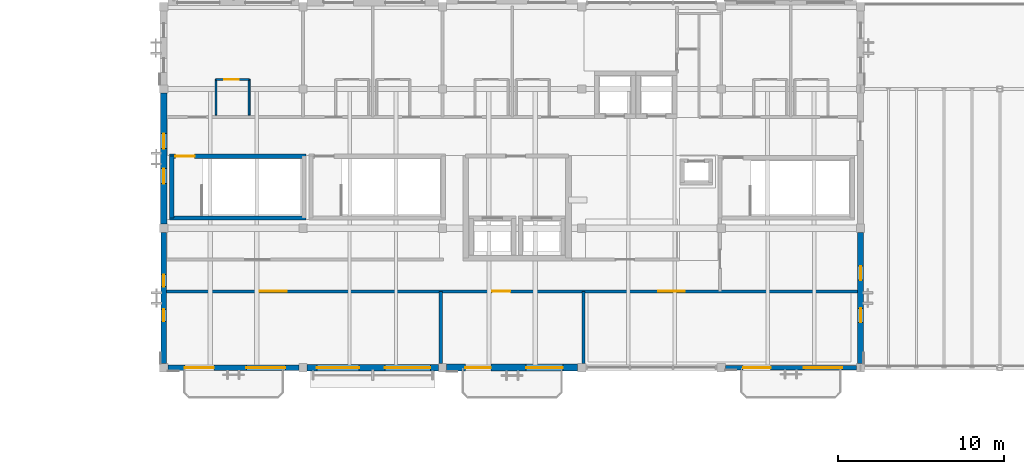
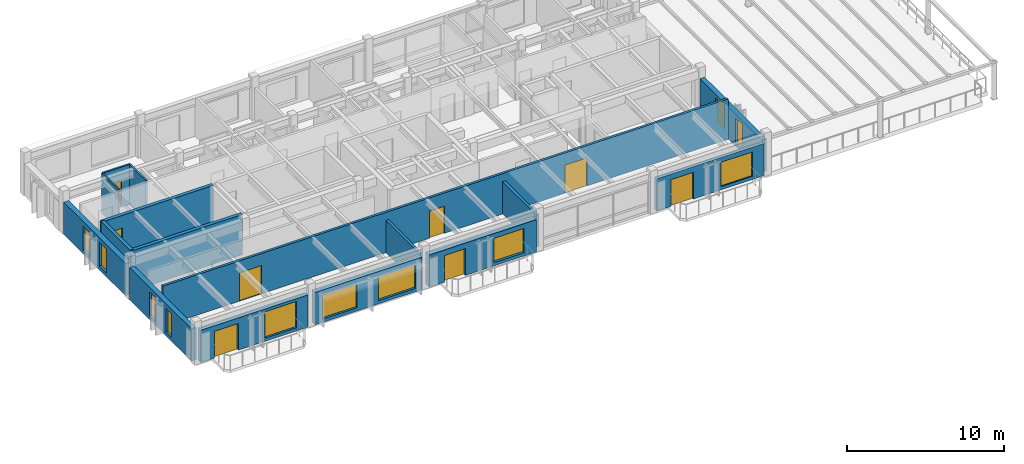
# One storey, part 13 of 24: 16 walls, 11 windows, 8 doors, 19 openings.
"""IFC4 building model written with IfcOpenShell, lengths in metres."""

from ifc_helpers import new_model, si_unit, direction, frame, frame_2d, origin, place, context, subcontext, project, spatial, rectangle, extrude, material, layer, layer_set, type_object, element, fill, save


model = new_model("IFC4")

# Units and contexts
model_context = context("Model", 3, precision=1e-05, world=origin(), true_north=direction((0.0, 1.0)))
body_context = subcontext(model_context, "Body", "Model", "MODEL_VIEW")
ifc_project = project(units=[si_unit("LENGTHUNIT", "METRE"), si_unit("AREAUNIT", "SQUARE_METRE"), si_unit("VOLUMEUNIT", "CUBIC_METRE"), si_unit("PLANEANGLEUNIT", "RADIAN"), si_unit("MASSUNIT", "GRAM", prefix="KILO")], contexts=[model_context])

# Site, building, storey
site_placement = place(None, origin())
site = spatial("IfcSite", under=ifc_project, at=site_placement, CompositionType="ELEMENT")
building_placement = place(site_placement, origin())
building = spatial("IfcBuilding", under=site, at=building_placement, Name="Cumbredor Promenade Congress Hotel", CompositionType="ELEMENT")
storey_placement = place(building_placement, frame((0.0, 0.0, 35.280029296875)))
storey = spatial("IfcBuildingStorey", under=building, at=storey_placement, Name="L10", CompositionType="ELEMENT", Elevation=35.280029296875)

# Wall, opening, door
ifc_material_1 = material(Name="Moisture-resistant gypsum board on steel studs", Category="steel")
ifc_layer_1 = layer(ifc_material_1, 0.114990234375, Name="Moisture-resistant gypsum board on steel studs", Category="steel")
ifc_layer_set_1 = layer_set([ifc_layer_1], Name="Moisture-resistant gypsum board on steel studs")
wall_type_1 = type_object("IfcWallType", Name="WL-BATH-115", PredefinedType="PARTITIONING", material=ifc_layer_set_1)
wall_1_placement = place(storey_placement, frame((11.550048828125, 109.77001953125, 0.0), z_axis=(0.0, 0.0, 1.0), x_axis=(1.0, 0.0, 0.0)))
wall_1 = element("IfcWall", 1, at=wall_1_placement, inside=storey, type_object=wall_type_1, Name="L10 Interior Partition W-L10-BH-1001", PredefinedType="PARTITIONING", context=body_context, shape_type="SweptSolid", body=[
    extrude(rectangle(XDim=2.0, YDim=0.114990234375, at=frame_2d((1.0, 0.0))), origin(), (0.0, 0.0, 1.0), 3.139892578125),
])
opening_1_placement = place(wall_1_placement, frame((0.5, 0.0, 0.0)))
opening_1 = element("IfcOpeningElement", 2, at=opening_1_placement, cuts=wall_1, Name="Opening ID-01", PredefinedType="OPENING", context=body_context, shape_type="SweptSolid", body=[
    extrude(rectangle(XDim=0.860107421875, YDim=2.050048828125, at=frame_2d((0.43017578125, 1.02490234375))), frame((0.0, 0.0673828125, 0.0), z_axis=(0.0, -1.0, 0.0), x_axis=(1.0, 0.0, 0.0)), (0.0, 0.0, 1.0), 0.135009765625),
])
ifc_material_2 = material(Name="Kiln-dried tropical hardwood", Category="wood")
door_type_1 = type_object("IfcDoorType", Name="DR-BATH-860", OperationType="NOTDEFINED", PredefinedType="DOOR", material=ifc_material_2)
door_1_placement = place(opening_1_placement, origin())
door_1 = element("IfcDoor", 3, at=door_1_placement, inside=storey, type_object=door_type_1, Name="L10 Interior Door W-L10-BH-1001-01", OperationType="SINGLE_SWING_RIGHT", OverallHeight=2.050048828125, OverallWidth=0.860107421875, PredefinedType="DOOR", context=body_context, shape_type="SweptSolid", body=[
    extrude(rectangle(XDim=0.860107421875, YDim=2.050048828125, at=frame_2d((0.43017578125, 1.02490234375))), frame((0.0, 0.02490234375, 0.0), z_axis=(0.0, -1.0, 0.0), x_axis=(1.0, 0.0, 0.0)), (0.0, 0.0, 1.0), 0.050048828125),
])
fill(opening_1, door_1)

# Walls
for number, where, z_axis, x_axis, name in (
    (4, (11.550048828125, 107.6201171875, 0.0), (0.0, 0.0, 1.0), (0.0, 1.0, 0.0), "L10 Interior Partition W-L10-BV1-1001"),
    (5, (13.550048828125, 107.6201171875, 0.0), (0.0, 0.0, 1.0), (0.0, 1.0, 0.0), "L10 Interior Partition W-L10-BV2-1001"),
):
    element("IfcWall", number, at=place(storey_placement, frame(where, z_axis=z_axis, x_axis=x_axis)), inside=storey, type_object=wall_type_1, Name=name, PredefinedType="PARTITIONING", context=body_context, shape_type="SweptSolid", body=[
        extrude(rectangle(XDim=2.14990234375, YDim=0.114990234375, at=frame_2d((1.074951171875, 0.0))), origin(), (0.0, 0.0, 1.0), 3.139892578125),
    ])
ifc_material_3 = material(Name="Concrete C40/50", Category="concrete")
ifc_layer_2 = layer(ifc_material_3, 0.199951171875, Name="Concrete C40/50", Category="concrete")
ifc_layer_set_2 = layer_set([ifc_layer_2], Name="Concrete C40/50")
wall_type_2 = type_object("IfcWallType", Name="WL-CORE-200", PredefinedType="SOLIDWALL", material=ifc_layer_set_2)
for number, where, z_axis, x_axis, name in (
    (6, (25.10009765625, 92.64990234375, 0.0), (0.0, 0.0, 1.0), (0.0, 1.0, 0.0), "L10 Interior Partition W-L10-SDIV1"),
    (7, (33.699951171875, 92.64990234375, 0.0), (0.0, 0.0, 1.0), (0.0, 1.0, 0.0), "L10 Interior Partition W-L10-SDIV2"),
):
    element("IfcWall", number, at=place(storey_placement, frame(where, z_axis=z_axis, x_axis=x_axis)), inside=storey, type_object=wall_type_2, Name=name, PredefinedType="SOLIDWALL", context=body_context, shape_type="SweptSolid", body=[
        extrude(rectangle(XDim=4.35009765625, YDim=0.199951171875, at=frame_2d((2.175048828125, 0.0))), origin(), (0.0, 0.0, 1.0), 2.513916015625),
    ])

# Wall, openings, doors
ifc_material_4 = material(Name="Fire-rated hotel corridor wall")
ifc_layer_3 = layer(ifc_material_4, 0.179931640625, Name="Fire-rated hotel corridor wall")
ifc_layer_set_3 = layer_set([ifc_layer_3], Name="Fire-rated hotel corridor wall")
wall_type_3 = type_object("IfcWallType", Name="WL-CORR-180", PredefinedType="PARTITIONING", material=ifc_layer_set_3)
wall_2_placement = place(storey_placement, frame((8.574951171875, 97.0, 0.0), z_axis=(0.0, 0.0, 1.0), x_axis=(1.0, 0.0, 0.0)))
wall_2 = element("IfcWall", 8, at=wall_2_placement, inside=storey, type_object=wall_type_3, Name="L10 Interior Partition W-L10-SCORRW", PredefinedType="PARTITIONING", context=body_context, shape_type="SweptSolid", body=[
    extrude(rectangle(XDim=41.650146484375, YDim=0.179931640625, at=frame_2d((20.8251953125, 0.0))), origin(), (0.0, 0.0, 1.0), 3.139892578125),
])
opening_2_placement = place(wall_2_placement, frame((5.625, 0.0, 0.0)))
opening_2 = element("IfcOpeningElement", 9, at=opening_2_placement, cuts=wall_2, Name="Opening FD-08", PredefinedType="OPENING", context=body_context, shape_type="SweptSolid", body=[
    extrude(rectangle(XDim=1.6201171875, YDim=2.199951171875, at=frame_2d((0.81005859375, 1.10009765625))), frame((0.0, 0.10009765625, 0.0), z_axis=(0.0, -1.0, 0.0), x_axis=(1.0, 0.0, 0.0)), (0.0, 0.0, 1.0), 0.199951171875),
])
opening_3_placement = place(wall_2_placement, frame((19.625, 0.0, 0.0)))
opening_3 = element("IfcOpeningElement", 10, at=opening_3_placement, cuts=wall_2, Name="Opening FD-04", PredefinedType="OPENING", context=body_context, shape_type="SweptSolid", body=[
    extrude(rectangle(XDim=1.10009765625, YDim=2.10009765625, at=frame_2d((0.550048828125, 1.050048828125))), frame((0.0, 0.10009765625, 0.0), z_axis=(0.0, -1.0, 0.0), x_axis=(1.0, 0.0, 0.0)), (0.0, 0.0, 1.0), 0.199951171875),
])
opening_4_placement = place(wall_2_placement, frame((29.625, 0.0, 0.0)))
opening_4 = element("IfcOpeningElement", 11, at=opening_4_placement, cuts=wall_2, Name="Opening FD-08", PredefinedType="OPENING", context=body_context, shape_type="SweptSolid", body=[
    extrude(rectangle(XDim=1.6201171875, YDim=2.199951171875, at=frame_2d((0.81005859375, 1.10009765625))), frame((0.0, 0.10009765625, 0.0), z_axis=(0.0, -1.0, 0.0), x_axis=(1.0, 0.0, 0.0)), (0.0, 0.0, 1.0), 0.199951171875),
])
ifc_material_5 = material(Name="Solid-core fire-rated tropical hardwood", Category="wood")
door_type_2 = type_object("IfcDoorType", Name="DR-DBL-FD60-1600", OperationType="DOUBLE_DOOR_SINGLE_SWING", PredefinedType="DOOR", material=ifc_material_5)
door_2_placement = place(opening_2_placement, origin())
door_2 = element("IfcDoor", 12, at=door_2_placement, inside=storey, type_object=door_type_2, Name="L10 Interior Door W-L10-SCORRW-01", OperationType="DOUBLE_DOOR_SINGLE_SWING", OverallHeight=2.199951171875, OverallWidth=1.6201171875, PredefinedType="DOOR", context=body_context, shape_type="SweptSolid", body=[
    extrude(rectangle(XDim=1.6201171875, YDim=2.199951171875, at=frame_2d((0.81005859375, 1.10009765625))), frame((0.0, 0.02490234375, 0.0), z_axis=(0.0, -1.0, 0.0), x_axis=(1.0, 0.0, 0.0)), (0.0, 0.0, 1.0), 0.050048828125),
])
fill(opening_2, door_2)
door_3_placement = place(opening_4_placement, origin())
door_3 = element("IfcDoor", 13, at=door_3_placement, inside=storey, type_object=door_type_2, Name="L10 Interior Door W-L10-SCORRW-03", OperationType="DOUBLE_DOOR_SINGLE_SWING", OverallHeight=2.199951171875, OverallWidth=1.6201171875, PredefinedType="DOOR", context=body_context, shape_type="SweptSolid", body=[
    extrude(rectangle(XDim=1.6201171875, YDim=2.199951171875, at=frame_2d((0.81005859375, 1.10009765625))), frame((0.0, 0.02490234375, 0.0), z_axis=(0.0, -1.0, 0.0), x_axis=(1.0, 0.0, 0.0)), (0.0, 0.0, 1.0), 0.050048828125),
])
fill(opening_4, door_3)
ifc_material_6 = material(Name="Painted galvanized steel fire door", Category="steel")
door_type_3 = type_object("IfcDoorType", Name="DR-SGL-FD60-1100", OperationType="NOTDEFINED", PredefinedType="DOOR", material=ifc_material_6)
door_4_placement = place(opening_3_placement, origin())
door_4 = element("IfcDoor", 14, at=door_4_placement, inside=storey, type_object=door_type_3, Name="L10 Interior Door W-L10-SCORRW-02", OperationType="SINGLE_SWING_LEFT", OverallHeight=2.10009765625, OverallWidth=1.10009765625, PredefinedType="DOOR", context=body_context, shape_type="SweptSolid", body=[
    extrude(rectangle(XDim=1.10009765625, YDim=2.10009765625, at=frame_2d((0.550048828125, 1.050048828125))), frame((0.0, 0.02490234375, 0.0), z_axis=(0.0, -1.0, 0.0), x_axis=(1.0, 0.0, 0.0)), (0.0, 0.0, 1.0), 0.050048828125),
])
fill(opening_3, door_4)

# Wall, openings, door, window
ifc_layer_4 = layer(ifc_material_3, 0.260009765625, Name="Concrete C40/50", Category="concrete")
ifc_layer_set_4 = layer_set([ifc_layer_4], Name="Concrete C40/50")
wall_type_4 = type_object("IfcWallType", Name="WL-EXT-260", PredefinedType="SOLIDWALL", material=ifc_layer_set_4)
wall_3_placement = place(storey_placement, frame((42.2509765625, 92.39990234375, 0.0), z_axis=(0.0, 0.0, 1.0), x_axis=(1.0, 0.0, 0.0)))
wall_3 = element("IfcWall", 15, at=wall_3_placement, inside=storey, type_object=wall_type_4, Name="L10 Stepped Congress Hotel Wing South Envelope Wall 5", PredefinedType="SOLIDWALL", context=body_context, shape_type="SweptSolid", body=[
    extrude(rectangle(XDim=7.89794921875, YDim=0.260009765625, at=frame_2d((3.948974609375, 0.0))), origin(), (0.0, 0.0, 1.0), 2.513916015625),
])
opening_5_placement = place(wall_3_placement, frame((1.073974609375, 0.0, 0.0)))
opening_5 = element("IfcOpeningElement", 16, at=opening_5_placement, cuts=wall_3, Name="Opening TD-02", PredefinedType="OPENING", context=body_context, shape_type="SweptSolid", body=[
    extrude(rectangle(XDim=1.64990234375, YDim=2.080078125, at=frame_2d((0.824951171875, 1.0400390625))), frame((0.0, 0.14013671875, 0.0), z_axis=(0.0, -1.0, 0.0), x_axis=(1.0, 0.0, 0.0)), (0.0, 0.0, 1.0), 0.280029296875),
])
opening_6_placement = place(wall_3_placement, frame((4.739013671875, 0.0, 0.25)))
opening_6 = element("IfcOpeningElement", 17, at=opening_6_placement, cuts=wall_3, Name="Opening WN-36", PredefinedType="OPENING", context=body_context, shape_type="SweptSolid", body=[
    extrude(rectangle(XDim=2.320068359375, YDim=1.89990234375, at=frame_2d((1.16015625, 0.949951171875))), frame((0.0, 0.14013671875, 0.0), z_axis=(0.0, -1.0, 0.0), x_axis=(1.0, 0.0, 0.0)), (0.0, 0.0, 1.0), 0.280029296875),
])
ifc_material_7 = material(Name="Thermally broken anodized aluminium and laminated safety glass", Category="aluminium")
door_type_4 = type_object("IfcDoorType", Name="EXT-DR-TER-1650x2080", OperationType="DOUBLE_DOOR_SINGLE_SWING", PredefinedType="DOOR", material=ifc_material_7)
door_5_placement = place(opening_5_placement, frame((1.64990234375, 0.0, 0.0), z_axis=(0.0, 0.0, 1.0), x_axis=(-1.0, 0.0, 0.0)))
door_5 = element("IfcDoor", 18, at=door_5_placement, inside=storey, type_object=door_type_4, Name="L10 Guestroom Veranda Balcony Door 097", OperationType="DOUBLE_DOOR_SINGLE_SWING", OverallHeight=2.080078125, OverallWidth=1.64990234375, PredefinedType="DOOR", context=body_context, shape_type="SweptSolid", body=[
    extrude(rectangle(XDim=1.64990234375, YDim=2.080078125, at=frame_2d((0.824951171875, 1.0400390625))), frame((0.0, 0.02490234375, 0.0), z_axis=(0.0, -1.0, 0.0), x_axis=(1.0, 0.0, 0.0)), (0.0, 0.0, 1.0), 0.050048828125),
])
fill(opening_5, door_5)
ifc_material_8 = material(Name="Thermally broken anodized aluminium and low-E glass", Category="aluminium")
window_type_1 = type_object("IfcWindowType", Name="Hospitality Floor-to-Ceiling Window WN-36 2320x1900", PartitioningType="DOUBLE_PANEL_VERTICAL", PredefinedType="WINDOW", material=ifc_material_8)
window_1_placement = place(opening_6_placement, origin())
window_1 = element("IfcWindow", 19, at=window_1_placement, inside=storey, type_object=window_type_1, Name="L10 Veranda Companion Floor-to-Ceiling Window 0714", OverallHeight=1.89990234375, OverallWidth=2.320068359375, PartitioningType="DOUBLE_PANEL_VERTICAL", PredefinedType="WINDOW", context=body_context, shape_type="SweptSolid", body=[
    extrude(rectangle(XDim=2.320068359375, YDim=1.89990234375, at=frame_2d((1.16015625, 0.949951171875))), frame((0.0, 0.030029296875, 0.0), z_axis=(0.0, -1.0, 0.0), x_axis=(1.0, 0.0, 0.0)), (0.0, 0.0, 1.0), 0.06005859375),
])
fill(opening_6, window_1)

ifc_layer_5 = layer(ifc_material_3, 0.35009765625, Name="Concrete C40/50", Category="concrete")
ifc_layer_set_5 = layer_set([ifc_layer_5], Name="Concrete C40/50")
wall_type_5 = type_object("IfcWallType", Name="WL-EXT-350", PredefinedType="SOLIDWALL", material=ifc_layer_set_5)
wall_4_placement = place(storey_placement, frame((8.65087890625, 92.39990234375, 0.0), z_axis=(0.0, 0.0, 1.0), x_axis=(1.0, 0.0, 0.0)))
wall_4 = element("IfcWall", 20, at=wall_4_placement, inside=storey, type_object=wall_type_5, Name="L10 Stepped Congress Hotel Wing South Envelope Wall 1", PredefinedType="SOLIDWALL", context=body_context, shape_type="SweptSolid", body=[
    extrude(rectangle(XDim=7.898193359375, YDim=0.35009765625, at=frame_2d((3.94921875, 0.0))), origin(), (0.0, 0.0, 1.0), 2.513916015625),
])
opening_7_placement = place(wall_4_placement, frame((1.02392578125, 0.0, 0.0)))
opening_7 = element("IfcOpeningElement", 21, at=opening_7_placement, cuts=wall_4, Name="Opening TD-03", PredefinedType="OPENING", context=body_context, shape_type="SweptSolid", body=[
    extrude(rectangle(XDim=1.75, YDim=2.080078125, at=frame_2d((0.875, 1.0400390625))), frame((0.0, 0.18505859375, 0.0), z_axis=(0.0, -1.0, 0.0), x_axis=(1.0, 0.0, 0.0)), (0.0, 0.0, 1.0), 0.3701171875),
])
opening_8_placement = place(wall_4_placement, frame((4.72412109375, 0.0, 0.25)))
opening_8 = element("IfcOpeningElement", 22, at=opening_8_placement, cuts=wall_4, Name="Opening WN-14", PredefinedType="OPENING", context=body_context, shape_type="SweptSolid", body=[
    extrude(rectangle(XDim=2.35009765625, YDim=2.050048828125, at=frame_2d((1.175048828125, 1.02490234375))), frame((0.0, 0.18505859375, 0.0), z_axis=(0.0, -1.0, 0.0), x_axis=(1.0, 0.0, 0.0)), (0.0, 0.0, 1.0), 0.3701171875),
])
door_type_5 = type_object("IfcDoorType", Name="EXT-DR-TER-1750x2080", OperationType="DOUBLE_DOOR_SINGLE_SWING", PredefinedType="DOOR", material=ifc_material_7)
door_6_placement = place(opening_7_placement, frame((1.75, 0.0, 0.0), z_axis=(0.0, 0.0, 1.0), x_axis=(-1.0, 0.0, 0.0)))
door_6 = element("IfcDoor", 23, at=door_6_placement, inside=storey, type_object=door_type_5, Name="L10 Guestroom Veranda Balcony Door 095", OperationType="DOUBLE_DOOR_SINGLE_SWING", OverallHeight=2.080078125, OverallWidth=1.75, PredefinedType="DOOR", context=body_context, shape_type="SweptSolid", body=[
    extrude(rectangle(XDim=1.75, YDim=2.080078125, at=frame_2d((0.875, 1.0400390625))), frame((0.0, 0.02490234375, 0.0), z_axis=(0.0, -1.0, 0.0), x_axis=(1.0, 0.0, 0.0)), (0.0, 0.0, 1.0), 0.050048828125),
])
fill(opening_7, door_6)
window_type_2 = type_object("IfcWindowType", Name="Hospitality Floor-to-Ceiling Window WN-14 2350x2050", PartitioningType="DOUBLE_PANEL_VERTICAL", PredefinedType="WINDOW", material=ifc_material_8)
window_2_placement = place(opening_8_placement, origin())
window_2 = element("IfcWindow", 24, at=window_2_placement, inside=storey, type_object=window_type_2, Name="L10 Veranda Companion Floor-to-Ceiling Window 0710", OverallHeight=2.050048828125, OverallWidth=2.35009765625, PartitioningType="DOUBLE_PANEL_VERTICAL", PredefinedType="WINDOW", context=body_context, shape_type="SweptSolid", body=[
    extrude(rectangle(XDim=2.35009765625, YDim=2.050048828125, at=frame_2d((1.175048828125, 1.02490234375))), frame((0.0, 0.030029296875, 0.0), z_axis=(0.0, -1.0, 0.0), x_axis=(1.0, 0.0, 0.0)), (0.0, 0.0, 1.0), 0.06005859375),
])
fill(opening_8, window_2)

# Wall, openings, windows
wall_5_placement = place(storey_placement, frame((8.39990234375, 92.65087890625, 0.0), z_axis=(0.0, 0.0, 1.0), x_axis=(0.0, 1.0, 0.0)))
wall_5 = element("IfcWall", 25, at=wall_5_placement, inside=storey, type_object=wall_type_5, Name="L10 Stepped Congress Hotel Wing West Envelope Wall 1", PredefinedType="SOLIDWALL", context=body_context, shape_type="SweptSolid", body=[
    extrude(rectangle(XDim=7.898193359375, YDim=0.35009765625, at=frame_2d((3.94921875, 0.0))), origin(), (0.0, 0.0, 1.0), 2.513916015625),
])
opening_9_placement = place(wall_5_placement, frame((2.5390625, 0.0, 0.300048828125)))
opening_9 = element("IfcOpeningElement", 26, at=opening_9_placement, cuts=wall_5, Name="Opening WN-45", PredefinedType="OPENING", context=body_context, shape_type="SweptSolid", body=[
    extrude(rectangle(XDim=0.719970703125, YDim=1.85009765625, at=frame_2d((0.35986328125, 0.925048828125))), frame((0.0, 0.18505859375, 0.0), z_axis=(0.0, -1.0, 0.0), x_axis=(1.0, 0.0, 0.0)), (0.0, 0.0, 1.0), 0.3701171875),
])
opening_10_placement = place(wall_5_placement, frame((4.638916015625, 0.0, 0.300048828125)))
opening_10 = element("IfcOpeningElement", 27, at=opening_10_placement, cuts=wall_5, Name="Opening WN-45", PredefinedType="OPENING", context=body_context, shape_type="SweptSolid", body=[
    extrude(rectangle(XDim=0.719970703125, YDim=1.85009765625, at=frame_2d((0.35986328125, 0.925048828125))), frame((0.0, 0.18505859375, 0.0), z_axis=(0.0, -1.0, 0.0), x_axis=(1.0, 0.0, 0.0)), (0.0, 0.0, 1.0), 0.3701171875),
])
window_type_3 = type_object("IfcWindowType", Name="Vertical Slot Window WN-45 720x1850", PartitioningType="SINGLE_PANEL", PredefinedType="WINDOW", material=ifc_material_8)
window_3_placement = place(opening_9_placement, origin())
window_3 = element("IfcWindow", 28, at=window_3_placement, inside=storey, type_object=window_type_3, Name="L10 Vertical Slot Window 0722", OverallHeight=1.85009765625, OverallWidth=0.719970703125, PartitioningType="SINGLE_PANEL", PredefinedType="WINDOW", context=body_context, shape_type="SweptSolid", body=[
    extrude(rectangle(XDim=0.719970703125, YDim=1.85009765625, at=frame_2d((0.35986328125, 0.925048828125))), frame((0.0, 0.030029296875, 0.0), z_axis=(0.0, -1.0, 0.0), x_axis=(1.0, 0.0, 0.0)), (0.0, 0.0, 1.0), 0.06005859375),
])
fill(opening_9, window_3)
window_4_placement = place(opening_10_placement, origin())
window_4 = element("IfcWindow", 29, at=window_4_placement, inside=storey, type_object=window_type_3, Name="L10 Vertical Slot Window 0723", OverallHeight=1.85009765625, OverallWidth=0.719970703125, PartitioningType="SINGLE_PANEL", PredefinedType="WINDOW", context=body_context, shape_type="SweptSolid", body=[
    extrude(rectangle(XDim=0.719970703125, YDim=1.85009765625, at=frame_2d((0.35986328125, 0.925048828125))), frame((0.0, 0.030029296875, 0.0), z_axis=(0.0, -1.0, 0.0), x_axis=(1.0, 0.0, 0.0)), (0.0, 0.0, 1.0), 0.06005859375),
])
fill(opening_10, window_4)

wall_6_placement = place(storey_placement, frame((50.39990234375, 92.65087890625, 0.0), z_axis=(0.0, 0.0, 1.0), x_axis=(0.0, 1.0, 0.0)))
wall_6 = element("IfcWall", 30, at=wall_6_placement, inside=storey, type_object=wall_type_5, Name="L10 Stepped Congress Hotel Wing East Envelope Wall 1", PredefinedType="SOLIDWALL", context=body_context, shape_type="SweptSolid", body=[
    extrude(rectangle(XDim=7.898193359375, YDim=0.35009765625, at=frame_2d((3.94921875, 0.0))), origin(), (0.0, 0.0, 1.0), 2.513916015625),
])
opening_11_placement = place(wall_6_placement, frame((2.47900390625, 0.0, 0.300048828125)))
opening_11 = element("IfcOpeningElement", 31, at=opening_11_placement, cuts=wall_6, Name="Opening WN-51", PredefinedType="OPENING", context=body_context, shape_type="SweptSolid", body=[
    extrude(rectangle(XDim=0.840087890625, YDim=1.949951171875, at=frame_2d((0.419921875, 0.97509765625))), frame((0.0, 0.18505859375, 0.0), z_axis=(0.0, -1.0, 0.0), x_axis=(1.0, 0.0, 0.0)), (0.0, 0.0, 1.0), 0.3701171875),
])
opening_12_placement = place(wall_6_placement, frame((5.029052734375, 0.0, 0.300048828125)))
opening_12 = element("IfcOpeningElement", 32, at=opening_12_placement, cuts=wall_6, Name="Opening WN-51", PredefinedType="OPENING", context=body_context, shape_type="SweptSolid", body=[
    extrude(rectangle(XDim=0.840087890625, YDim=1.949951171875, at=frame_2d((0.419921875, 0.97509765625))), frame((0.0, 0.18505859375, 0.0), z_axis=(0.0, -1.0, 0.0), x_axis=(1.0, 0.0, 0.0)), (0.0, 0.0, 1.0), 0.3701171875),
])
window_type_4 = type_object("IfcWindowType", Name="Vertical Slot Window WN-51 840x1950", PartitioningType="SINGLE_PANEL", PredefinedType="WINDOW", material=ifc_material_8)
window_5_placement = place(opening_11_placement, origin())
window_5 = element("IfcWindow", 33, at=window_5_placement, inside=storey, type_object=window_type_4, Name="L10 Vertical Slot Window 0728", OverallHeight=1.949951171875, OverallWidth=0.840087890625, PartitioningType="SINGLE_PANEL", PredefinedType="WINDOW", context=body_context, shape_type="SweptSolid", body=[
    extrude(rectangle(XDim=0.840087890625, YDim=1.949951171875, at=frame_2d((0.419921875, 0.97509765625))), frame((0.0, 0.030029296875, 0.0), z_axis=(0.0, -1.0, 0.0), x_axis=(1.0, 0.0, 0.0)), (0.0, 0.0, 1.0), 0.06005859375),
])
fill(opening_11, window_5)
window_6_placement = place(opening_12_placement, origin())
window_6 = element("IfcWindow", 34, at=window_6_placement, inside=storey, type_object=window_type_4, Name="L10 Vertical Slot Window 0729", OverallHeight=1.949951171875, OverallWidth=0.840087890625, PartitioningType="SINGLE_PANEL", PredefinedType="WINDOW", context=body_context, shape_type="SweptSolid", body=[
    extrude(rectangle(XDim=0.840087890625, YDim=1.949951171875, at=frame_2d((0.419921875, 0.97509765625))), frame((0.0, 0.030029296875, 0.0), z_axis=(0.0, -1.0, 0.0), x_axis=(1.0, 0.0, 0.0)), (0.0, 0.0, 1.0), 0.06005859375),
])
fill(opening_12, window_6)

ifc_layer_6 = layer(ifc_material_3, 0.3798828125, Name="Concrete C40/50", Category="concrete")
ifc_layer_set_6 = layer_set([ifc_layer_6], Name="Concrete C40/50")
wall_type_6 = type_object("IfcWallType", Name="WL-EXT-380", PredefinedType="SOLIDWALL", material=ifc_layer_set_6)
wall_7_placement = place(storey_placement, frame((17.051025390625, 92.39990234375, 0.0), z_axis=(0.0, 0.0, 1.0), x_axis=(1.0, 0.0, 0.0)))
wall_7 = element("IfcWall", 35, at=wall_7_placement, inside=storey, type_object=wall_type_6, Name="L10 Stepped Congress Hotel Wing South Envelope Wall 2", PredefinedType="SOLIDWALL", context=body_context, shape_type="SweptSolid", body=[
    extrude(rectangle(XDim=7.89794921875, YDim=0.3798828125, at=frame_2d((3.948974609375, 0.0))), origin(), (0.0, 0.0, 1.0), 2.513916015625),
])
opening_13_placement = place(wall_7_placement, frame((0.573974609375, 0.0, 0.25)))
opening_13 = element("IfcOpeningElement", 36, at=opening_13_placement, cuts=wall_7, Name="Opening WN-04", PredefinedType="OPENING", context=body_context, shape_type="SweptSolid", body=[
    extrude(rectangle(XDim=2.550048828125, YDim=1.85009765625, at=frame_2d((1.27490234375, 0.925048828125))), frame((0.0, 0.199951171875, 0.0), z_axis=(0.0, -1.0, 0.0), x_axis=(1.0, 0.0, 0.0)), (0.0, 0.0, 1.0), 0.39990234375),
])
opening_14_placement = place(wall_7_placement, frame((4.674072265625, 0.0, 0.25)))
opening_14 = element("IfcOpeningElement", 37, at=opening_14_placement, cuts=wall_7, Name="Opening WN-06", PredefinedType="OPENING", context=body_context, shape_type="SweptSolid", body=[
    extrude(rectangle(XDim=2.75, YDim=1.85009765625, at=frame_2d((1.375, 0.925048828125))), frame((0.0, 0.199951171875, 0.0), z_axis=(0.0, -1.0, 0.0), x_axis=(1.0, 0.0, 0.0)), (0.0, 0.0, 1.0), 0.39990234375),
])
window_type_5 = type_object("IfcWindowType", Name="Hospitality Floor-to-Ceiling Window WN-04 2550x1850", PartitioningType="DOUBLE_PANEL_VERTICAL", PredefinedType="WINDOW", material=ifc_material_8)
window_7_placement = place(opening_13_placement, origin())
window_7 = element("IfcWindow", 38, at=window_7_placement, inside=storey, type_object=window_type_5, Name="L10 Wide Hospitality Window 0711", OverallHeight=1.85009765625, OverallWidth=2.550048828125, PartitioningType="DOUBLE_PANEL_VERTICAL", PredefinedType="WINDOW", context=body_context, shape_type="SweptSolid", body=[
    extrude(rectangle(XDim=2.550048828125, YDim=1.85009765625, at=frame_2d((1.27490234375, 0.925048828125))), frame((0.0, 0.030029296875, 0.0), z_axis=(0.0, -1.0, 0.0), x_axis=(1.0, 0.0, 0.0)), (0.0, 0.0, 1.0), 0.06005859375),
])
fill(opening_13, window_7)
window_type_6 = type_object("IfcWindowType", Name="Hospitality Floor-to-Ceiling Window WN-06 2750x1850", PartitioningType="DOUBLE_PANEL_VERTICAL", PredefinedType="WINDOW", material=ifc_material_8)
window_8_placement = place(opening_14_placement, origin())
window_8 = element("IfcWindow", 39, at=window_8_placement, inside=storey, type_object=window_type_6, Name="L10 Wide Hospitality Window 0712", OverallHeight=1.85009765625, OverallWidth=2.75, PartitioningType="DOUBLE_PANEL_VERTICAL", PredefinedType="WINDOW", context=body_context, shape_type="SweptSolid", body=[
    extrude(rectangle(XDim=2.75, YDim=1.85009765625, at=frame_2d((1.375, 0.925048828125))), frame((0.0, 0.030029296875, 0.0), z_axis=(0.0, -1.0, 0.0), x_axis=(1.0, 0.0, 0.0)), (0.0, 0.0, 1.0), 0.06005859375),
])
fill(opening_14, window_8)

wall_8_placement = place(storey_placement, frame((8.39990234375, 101.051025390625, 0.0), z_axis=(0.0, 0.0, 1.0), x_axis=(0.0, 1.0, 0.0)))
wall_8 = element("IfcWall", 40, at=wall_8_placement, inside=storey, type_object=wall_type_6, Name="L10 Stepped Congress Hotel Wing West Envelope Wall 2", PredefinedType="SOLIDWALL", context=body_context, shape_type="SweptSolid", body=[
    extrude(rectangle(XDim=7.89794921875, YDim=0.3798828125, at=frame_2d((3.948974609375, 0.0))), origin(), (0.0, 0.0, 1.0), 2.513916015625),
])
opening_15_placement = place(wall_8_placement, frame((2.448974609375, 0.0, 0.300048828125)))
opening_15 = element("IfcOpeningElement", 41, at=opening_15_placement, cuts=wall_8, Name="Opening WN-48", PredefinedType="OPENING", context=body_context, shape_type="SweptSolid", body=[
    extrude(rectangle(XDim=0.89990234375, YDim=1.85009765625, at=frame_2d((0.449951171875, 0.925048828125))), frame((0.0, 0.199951171875, 0.0), z_axis=(0.0, -1.0, 0.0), x_axis=(1.0, 0.0, 0.0)), (0.0, 0.0, 1.0), 0.39990234375),
])
opening_16_placement = place(wall_8_placement, frame((4.549072265625, 0.0, 0.300048828125)))
opening_16 = element("IfcOpeningElement", 42, at=opening_16_placement, cuts=wall_8, Name="Opening WN-48", PredefinedType="OPENING", context=body_context, shape_type="SweptSolid", body=[
    extrude(rectangle(XDim=0.89990234375, YDim=1.85009765625, at=frame_2d((0.449951171875, 0.925048828125))), frame((0.0, 0.199951171875, 0.0), z_axis=(0.0, -1.0, 0.0), x_axis=(1.0, 0.0, 0.0)), (0.0, 0.0, 1.0), 0.39990234375),
])
window_type_7 = type_object("IfcWindowType", Name="Vertical Slot Window WN-48 900x1850", PartitioningType="SINGLE_PANEL", PredefinedType="WINDOW", material=ifc_material_8)
window_9_placement = place(opening_15_placement, origin())
window_9 = element("IfcWindow", 43, at=window_9_placement, inside=storey, type_object=window_type_7, Name="L10 Vertical Slot Window 0724", OverallHeight=1.85009765625, OverallWidth=0.89990234375, PartitioningType="SINGLE_PANEL", PredefinedType="WINDOW", context=body_context, shape_type="SweptSolid", body=[
    extrude(rectangle(XDim=0.89990234375, YDim=1.85009765625, at=frame_2d((0.449951171875, 0.925048828125))), frame((0.0, 0.030029296875, 0.0), z_axis=(0.0, -1.0, 0.0), x_axis=(1.0, 0.0, 0.0)), (0.0, 0.0, 1.0), 0.06005859375),
])
fill(opening_15, window_9)
window_10_placement = place(opening_16_placement, origin())
window_10 = element("IfcWindow", 44, at=window_10_placement, inside=storey, type_object=window_type_7, Name="L10 Vertical Slot Window 0725", OverallHeight=1.85009765625, OverallWidth=0.89990234375, PartitioningType="SINGLE_PANEL", PredefinedType="WINDOW", context=body_context, shape_type="SweptSolid", body=[
    extrude(rectangle(XDim=0.89990234375, YDim=1.85009765625, at=frame_2d((0.449951171875, 0.925048828125))), frame((0.0, 0.030029296875, 0.0), z_axis=(0.0, -1.0, 0.0), x_axis=(1.0, 0.0, 0.0)), (0.0, 0.0, 1.0), 0.06005859375),
])
fill(opening_16, window_10)

# Wall, openings, door, window
ifc_layer_7 = layer(ifc_material_3, 0.425048828125, Name="Concrete C40/50", Category="concrete")
ifc_layer_set_7 = layer_set([ifc_layer_7], Name="Concrete C40/50")
wall_type_7 = type_object("IfcWallType", Name="WL-EXT-425", PredefinedType="SOLIDWALL", material=ifc_layer_set_7)
wall_9_placement = place(storey_placement, frame((25.450927734375, 92.39990234375, 0.0), z_axis=(0.0, 0.0, 1.0), x_axis=(1.0, 0.0, 0.0)))
wall_9 = element("IfcWall", 45, at=wall_9_placement, inside=storey, type_object=wall_type_7, Name="L10 Stepped Congress Hotel Wing South Envelope Wall 3", PredefinedType="SOLIDWALL", context=body_context, shape_type="SweptSolid", body=[
    extrude(rectangle(XDim=7.898193359375, YDim=0.425048828125, at=frame_2d((3.94921875, 0.0))), origin(), (0.0, 0.0, 1.0), 2.513916015625),
])
opening_17_placement = place(wall_9_placement, frame((1.1240234375, 0.0, 0.0)))
opening_17 = element("IfcOpeningElement", 46, at=opening_17_placement, cuts=wall_9, Name="Opening TD-01", PredefinedType="OPENING", context=body_context, shape_type="SweptSolid", body=[
    extrude(rectangle(XDim=1.550048828125, YDim=2.080078125, at=frame_2d((0.77490234375, 1.0400390625))), frame((0.0, 0.22265625, 0.0), z_axis=(0.0, -1.0, 0.0), x_axis=(1.0, 0.0, 0.0)), (0.0, 0.0, 1.0), 0.445068359375),
])
opening_18_placement = place(wall_9_placement, frame((4.7890625, 0.0, 0.25)))
opening_18 = element("IfcOpeningElement", 47, at=opening_18_placement, cuts=wall_9, Name="Opening WN-35", PredefinedType="OPENING", context=body_context, shape_type="SweptSolid", body=[
    extrude(rectangle(XDim=2.219970703125, YDim=1.89990234375, at=frame_2d((1.10986328125, 0.949951171875))), frame((0.0, 0.22265625, 0.0), z_axis=(0.0, -1.0, 0.0), x_axis=(1.0, 0.0, 0.0)), (0.0, 0.0, 1.0), 0.445068359375),
])
door_type_6 = type_object("IfcDoorType", Name="EXT-DR-TER-1550x2080", OperationType="DOUBLE_DOOR_SINGLE_SWING", PredefinedType="DOOR", material=ifc_material_7)
door_7_placement = place(opening_17_placement, frame((1.550048828125, 0.0, 0.0), z_axis=(0.0, 0.0, 1.0), x_axis=(-1.0, 0.0, 0.0)))
door_7 = element("IfcDoor", 48, at=door_7_placement, inside=storey, type_object=door_type_6, Name="L10 Guestroom Veranda Balcony Door 096", OperationType="DOUBLE_DOOR_SINGLE_SWING", OverallHeight=2.080078125, OverallWidth=1.550048828125, PredefinedType="DOOR", context=body_context, shape_type="SweptSolid", body=[
    extrude(rectangle(XDim=1.550048828125, YDim=2.080078125, at=frame_2d((0.77490234375, 1.0400390625))), frame((0.0, 0.02490234375, 0.0), z_axis=(0.0, -1.0, 0.0), x_axis=(1.0, 0.0, 0.0)), (0.0, 0.0, 1.0), 0.050048828125),
])
fill(opening_17, door_7)
window_type_8 = type_object("IfcWindowType", Name="Hospitality Floor-to-Ceiling Window WN-35 2220x1900", PartitioningType="DOUBLE_PANEL_VERTICAL", PredefinedType="WINDOW", material=ifc_material_8)
window_11_placement = place(opening_18_placement, origin())
window_11 = element("IfcWindow", 49, at=window_11_placement, inside=storey, type_object=window_type_8, Name="L10 Veranda Companion Floor-to-Ceiling Window 0713", OverallHeight=1.89990234375, OverallWidth=2.219970703125, PartitioningType="DOUBLE_PANEL_VERTICAL", PredefinedType="WINDOW", context=body_context, shape_type="SweptSolid", body=[
    extrude(rectangle(XDim=2.219970703125, YDim=1.89990234375, at=frame_2d((1.10986328125, 0.949951171875))), frame((0.0, 0.030029296875, 0.0), z_axis=(0.0, -1.0, 0.0), x_axis=(1.0, 0.0, 0.0)), (0.0, 0.0, 1.0), 0.06005859375),
])
fill(opening_18, window_11)

# Wall
ifc_layer_8 = layer(ifc_material_3, 0.2548828125, Name="Concrete C40/50", Category="concrete")
ifc_layer_set_8 = layer_set([ifc_layer_8], Name="Concrete C40/50")
wall_type_8 = type_object("IfcWallType", Name="WL-SHAFT-250", PredefinedType="SOLIDWALL", material=ifc_layer_set_8)
wall_10_placement = place(storey_placement, frame((8.75244140625, 101.419921875, 0.0), z_axis=(0.0, 0.0, 1.0), x_axis=(1.0, 0.0, 0.0)))
element("IfcWall", 50, at=wall_10_placement, inside=storey, type_object=wall_type_8, Name="STAIR-ST-01-L10 Shaft Wall South", PredefinedType="SOLIDWALL", context=body_context, shape_type="SweptSolid", body=[
    extrude(rectangle(XDim=8.22509765625, YDim=0.2548828125, at=frame_2d((4.112548828125, 0.0))), origin(), (0.0, 0.0, 1.0), 3.139892578125),
])

# Wall, opening, door
wall_11_placement = place(storey_placement, frame((8.75244140625, 105.14990234375, 0.0), z_axis=(0.0, 0.0, 1.0), x_axis=(1.0, 0.0, 0.0)))
wall_11 = element("IfcWall", 51, at=wall_11_placement, inside=storey, type_object=wall_type_8, Name="STAIR-ST-01-L10 Shaft Wall North", PredefinedType="SOLIDWALL", context=body_context, shape_type="SweptSolid", body=[
    extrude(rectangle(XDim=8.22509765625, YDim=0.2548828125, at=frame_2d((4.112548828125, 0.0))), origin(), (0.0, 0.0, 1.0), 3.139892578125),
])
opening_19_placement = place(wall_11_placement, frame((0.35009765625, 0.0, 0.0)))
opening_19 = element("IfcOpeningElement", 52, at=opening_19_placement, cuts=wall_11, Name="Opening SD-01", PredefinedType="OPENING", context=body_context, shape_type="SweptSolid", body=[
    extrude(rectangle(XDim=1.159912109375, YDim=2.14990234375, at=frame_2d((0.580078125, 1.074951171875))), frame((0.0, 0.137451171875, 0.0), z_axis=(0.0, -1.0, 0.0), x_axis=(1.0, 0.0, 0.0)), (0.0, 0.0, 1.0), 0.27490234375),
])
door_type_7 = type_object("IfcDoorType", Name="DR-STAIR-FD90-1150", OperationType="NOTDEFINED", PredefinedType="DOOR", material=ifc_material_6)
door_8_placement = place(opening_19_placement, origin())
door_8 = element("IfcDoor", 53, at=door_8_placement, inside=storey, type_object=door_type_7, Name="L10 Protected Exit Stair ST-01 Door", OperationType="SINGLE_SWING_RIGHT", OverallHeight=2.14990234375, OverallWidth=1.159912109375, PredefinedType="DOOR", context=body_context, shape_type="SweptSolid", body=[
    extrude(rectangle(XDim=1.159912109375, YDim=2.14990234375, at=frame_2d((0.580078125, 1.074951171875))), frame((0.0, 0.02490234375, 0.0), z_axis=(0.0, -1.0, 0.0), x_axis=(1.0, 0.0, 0.0)), (0.0, 0.0, 1.0), 0.050048828125),
])
fill(opening_19, door_8)

# Wall
wall_12_placement = place(storey_placement, frame((8.8798828125, 101.419921875, 0.0), z_axis=(0.0, 0.0, 1.0), x_axis=(0.0, 1.0, 0.0)))
element("IfcWall", 54, at=wall_12_placement, inside=storey, type_object=wall_type_8, Name="STAIR-ST-01-L10 Shaft Wall West", PredefinedType="SOLIDWALL", context=body_context, shape_type="SweptSolid", body=[
    extrude(rectangle(XDim=3.72998046875, YDim=0.2548828125, at=frame_2d((1.864990234375, 0.0))), origin(), (0.0, 0.0, 1.0), 3.139892578125),
])

save(model, "model.ifc")
